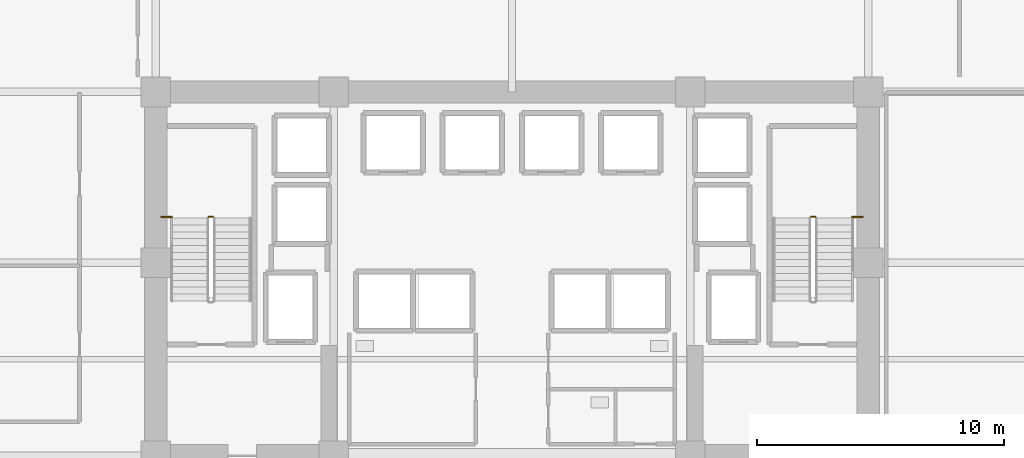
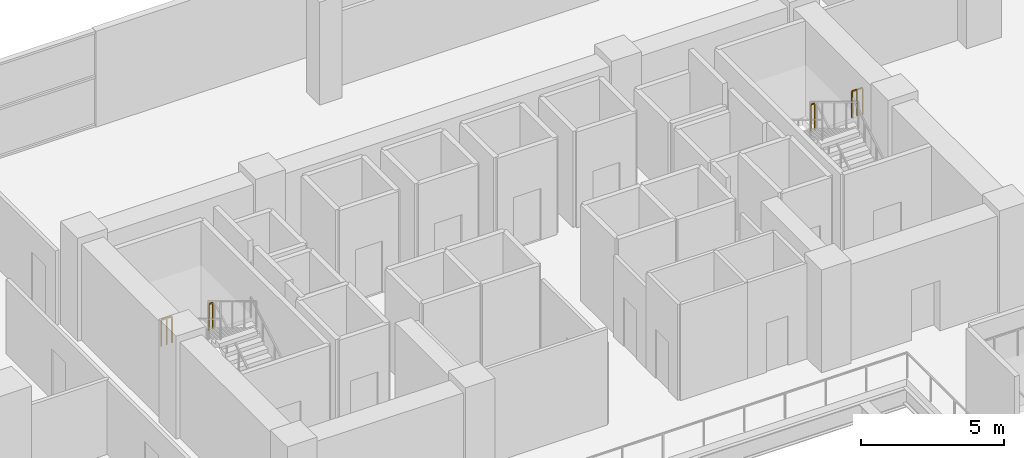
# One storey, part 20 of 22: 4 railings.
"""IFC4 building model written with IfcOpenShell, lengths in metres."""

import ifcopenshell
import ifcopenshell.guid

model = None  # the IFC model being written
_history = None  # IfcOwnerHistory: only IFC2X3 demands one
_inside = {}  # id of a spatial element -> (the spatial element, [elements in it])
_under = {}  # id of a project, library or spatial element -> (it, [spatial elements below it])
_declared = {}  # id of a project -> (the project, [libraries it declares])
_typed = {}  # id of a type object -> (the type object, [elements of that type])
_made_of = {}  # id of a material, layer set ... -> (it, [elements and type objects made of it])


def new_model(schema):
    """Start an empty IFC model of exactly this schema.

    Asked for "IFC4X3", IfcOpenShell would pick the latest addendum, in which some entities
    have other attributes; the version numbers below select the first issue.
    IFC2X3 requires an IfcOwnerHistory on every rooted entity: one is made here for all.
    """
    global model, _history
    if schema == "IFC4X3":
        model = ifcopenshell.file(schema_version=(4, 3, 0, 0))
    else:
        model = ifcopenshell.file(schema=schema)
    _inside.clear()
    _under.clear()
    _declared.clear()
    _typed.clear()
    _made_of.clear()
    _history = None
    if model.schema == "IFC2X3":
        org = make("IfcOrganization", Name="unknown")
        user = make(
            "IfcPersonAndOrganization",
            ThePerson=make("IfcPerson", FamilyName="unknown"),
            TheOrganization=org,
        )
        app = make(
            "IfcApplication",
            ApplicationDeveloper=org,
            Version="unknown",
            ApplicationFullName="unknown",
            ApplicationIdentifier="unknown",
        )
        _history = make(
            "IfcOwnerHistory",
            OwningUser=user,
            OwningApplication=app,
            ChangeAction="ADDED",
            CreationDate=0,
        )
    return model


def make(cls, **values):
    """One entity of the class cls with the attributes given. An attribute that is None is left unset."""
    return model.create_entity(
        cls, **{name: value for name, value in values.items() if value is not None}
    )


def rooted(cls, **values):
    """An entity with a GlobalId (a new one), such as an element, a storey or a relation."""
    return make(cls, GlobalId=ifcopenshell.guid.new(), OwnerHistory=_history, **values)


def si_unit(unit_type, name, prefix=None):
    """IfcSIUnit, for example si_unit("LENGTHUNIT", "METRE", prefix="MILLI")."""
    return make("IfcSIUnit", UnitType=unit_type, Prefix=prefix, Name=name)


def assignment(units):
    """IfcUnitAssignment: the units of a project."""
    return None if units is None else make("IfcUnitAssignment", Units=units)


def point(xyz):
    """IfcCartesianPoint."""
    return None if xyz is None else make("IfcCartesianPoint", Coordinates=xyz)


def direction(xyz):
    """IfcDirection."""
    return None if xyz is None else make("IfcDirection", DirectionRatios=xyz)


def frame(location, z_axis=None, x_axis=None):
    """IfcAxis2Placement3D, a coordinate frame: its origin and axes. An axis left out is left unset."""
    return make(
        "IfcAxis2Placement3D",
        Location=point(location),
        Axis=direction(z_axis),
        RefDirection=direction(x_axis),
    )


def frame_2d(location, x_axis=None):
    """IfcAxis2Placement2D, a coordinate frame in the plane: its origin and x axis."""
    return make(
        "IfcAxis2Placement2D", Location=point(location), RefDirection=direction(x_axis)
    )


def origin():
    """The frame at (0, 0, 0) with its axes left unset."""
    return frame((0.0, 0.0, 0.0))


def origin_2d():
    """The frame at (0, 0) in the plane with its x axis left unset."""
    return frame_2d((0.0, 0.0))


def place(relative_to, where):
    """IfcLocalPlacement: puts the frame where relative to a parent placement (None: the world)."""
    return make(
        "IfcLocalPlacement", PlacementRelTo=relative_to, RelativePlacement=where
    )


def context(
    kind, dimensions, precision=None, world=None, true_north=None, identifier=None
):
    """IfcGeometricRepresentationContext, for example the 3D "Model" context."""
    return make(
        "IfcGeometricRepresentationContext",
        ContextIdentifier=identifier,
        ContextType=kind,
        CoordinateSpaceDimension=dimensions,
        Precision=precision,
        WorldCoordinateSystem=world,
        TrueNorth=true_north,
    )


def subcontext(parent, identifier, kind, view, scale=None):
    """IfcGeometricRepresentationSubContext, for example "Body" below "Model"."""
    return make(
        "IfcGeometricRepresentationSubContext",
        ContextIdentifier=identifier,
        ContextType=kind,
        ParentContext=parent,
        TargetScale=scale,
        TargetView=view,
    )


def project(units=None, contexts=None):
    """IfcProject with its units and contexts."""
    return rooted(
        "IfcProject",
        Name="project",
        RepresentationContexts=contexts,
        UnitsInContext=assignment(units),
    )


def spatial(cls, under=None, at=None, **own):
    """A site, building, storey or space (cls), placed at a placement, below another one or the project."""
    s = rooted(cls, ObjectPlacement=at, **own)
    if under is not None:
        _under.setdefault(under.id(), (under, []))[1].append(s)
    return s


def profile(cls, at=None, kind="AREA", **sizes):
    """A parametric profile (cls). Its sizes go by their IFC names, for example OverallWidth=200.0."""
    return make(cls, ProfileType=kind, Position=at, **sizes)


def rectangle(**sizes):
    """IfcRectangleProfileDef."""
    return profile("IfcRectangleProfileDef", **sizes)


def extrude(swept, where, along, depth):
    """IfcExtrudedAreaSolid: the profile swept, set in the frame where, extruded along a direction by depth."""
    return make(
        "IfcExtrudedAreaSolid",
        SweptArea=swept,
        Position=where,
        ExtrudedDirection=direction(along),
        Depth=depth,
    )


def shape(context_of_items, identifier, shape_type, items):
    """IfcShapeRepresentation: the items that make up one representation, for example the "Body"."""
    return make(
        "IfcShapeRepresentation",
        ContextOfItems=context_of_items,
        RepresentationIdentifier=identifier,
        RepresentationType=shape_type,
        Items=items,
    )


def material(Name=None, Category=None):
    """IfcMaterial."""
    return make("IfcMaterial", Name=Name, Category=Category)


def made_of(thing, what):
    """Note that an element or type object is made of a material, layer set ...; save() writes the relation."""
    if what is not None:
        _made_of.setdefault(what.id(), (what, []))[1].append(thing)
    return thing


def type_object(cls, material=None, **own):
    """A type object (cls), such as IfcWallType, which elements share."""
    return made_of(rooted(cls, **own), material)


def element(
    cls,
    number,
    at=None,
    inside=None,
    cuts=None,
    type_object=None,
    material=None,
    context=None,
    identifier="Body",
    shape_type=None,
    held_by="IfcProductDefinitionShape",
    body=None,
    shapes=None,
    **own,
):
    """One element of the class cls, such as IfcWall. Its Tag is "e" and its number.

    at: its placement. inside: the storey or other place that contains it. cuts: it is an
    opening in that element (IfcRelVoidsElement). A single representation is given by context,
    identifier, shape_type and body (its items); several are given by shapes. held_by: the class
    of the entity that holds the representations. save() writes the other relations.
    """
    e = rooted(cls, Tag="e%d" % number, ObjectPlacement=at, **own)
    if body is not None:
        shapes = [shape(context, identifier, shape_type, body)]
    if shapes is not None:
        e.Representation = make(held_by, Representations=shapes)
    if inside is not None:
        _inside.setdefault(inside.id(), (inside, []))[1].append(e)
    if cuts is not None:
        rooted(
            "IfcRelVoidsElement", RelatingBuildingElement=cuts, RelatedOpeningElement=e
        )
    if type_object is not None:
        _typed.setdefault(type_object.id(), (type_object, []))[1].append(e)
    return made_of(e, material)


def aggregate(whole, parts):
    """IfcRelAggregates: a whole, such as a stair, and the parts it consists of."""
    return rooted("IfcRelAggregates", RelatingObject=whole, RelatedObjects=parts)


def save(model, path):
    """Write the relations noted so far, then the file.

    IfcRelAggregates (storeys below a building ...), IfcRelContainedInSpatialStructure (elements
    in a storey), IfcRelDefinesByType, IfcRelAssociatesMaterial and IfcRelDeclares: one each for
    every whole, place, type object, material and project.
    """
    for whole, parts in _under.values():
        aggregate(whole, parts)
    for where, things in _inside.values():
        rooted(
            "IfcRelContainedInSpatialStructure",
            RelatedElements=things,
            RelatingStructure=where,
        )
    for kind, things in _typed.values():
        rooted("IfcRelDefinesByType", RelatedObjects=things, RelatingType=kind)
    for what, things in _made_of.values():
        rooted("IfcRelAssociatesMaterial", RelatedObjects=things, RelatingMaterial=what)
    for by, libraries in _declared.values():
        rooted("IfcRelDeclares", RelatingContext=by, RelatedDefinitions=libraries)
    model.write(path)


model = new_model("IFC4")

# Units and contexts
model_context = context("Model", 3, precision=1e-05, world=origin(), true_north=direction((0.0, 1.0)))
body_context = subcontext(model_context, "Body", "Model", "MODEL_VIEW")
ifc_project = project(units=[si_unit("LENGTHUNIT", "METRE"), si_unit("AREAUNIT", "SQUARE_METRE"), si_unit("VOLUMEUNIT", "CUBIC_METRE"), si_unit("PLANEANGLEUNIT", "RADIAN"), si_unit("MASSUNIT", "GRAM", prefix="KILO")], contexts=[model_context])

# Site, building, storey
site_placement = place(None, origin())
site = spatial("IfcSite", under=ifc_project, at=site_placement, CompositionType="ELEMENT")
building_placement = place(site_placement, origin())
building = spatial("IfcBuilding", under=site, at=building_placement, Name="Zarnakvel Exchange Tower", CompositionType="ELEMENT")
storey_placement = place(building_placement, frame((0.0, 0.0, 9.39990234375)))
storey = spatial("IfcBuildingStorey", under=building, at=storey_placement, Name="L02", CompositionType="ELEMENT", Elevation=9.39990234375)

# Railings
ifc_material = material(Name="Architectural Bronze Anodised Aluminium", Category="aluminium")
railing_type = type_object("IfcRailingType", Name="SG-01", PredefinedType="GUARDRAIL", material=ifc_material)
railing_1_placement = place(storey_placement, frame((-12.090087890625, 8.4599609375, 2.2001953125)))
element("IfcRailing", 1, at=railing_1_placement, inside=storey, type_object=railing_type, Name="L02 ST-01 stair guard 2", PredefinedType="GUARDRAIL", context=body_context, shape_type="SweptSolid", body=[
    extrude(rectangle(XDim=0.048095703125, YDim=0.048095703125, at=origin_2d()), frame((0.0, 0.0, 1.1259765625), z_axis=(-1.0, 0.0, 0.0), x_axis=(0.0, -1.0, 0.0)), (0.0, 0.0, 1.0), 0.159912109375),
    extrude(rectangle(XDim=0.0419921875, YDim=0.0419921875, at=origin_2d()), origin(), (0.0, 0.0, 1.0), 1.101806640625),
    extrude(rectangle(XDim=0.0419921875, YDim=0.0419921875, at=origin_2d()), frame((-0.159912109375, 0.0, 0.0)), (0.0, 0.0, 1.0), 1.101806640625),
])
railing_2_placement = place(storey_placement, frame((-14.179931640625, 8.449951171875, 2.2001953125)))
element("IfcRailing", 2, at=railing_2_placement, inside=storey, type_object=railing_type, Name="L02 ST-01 Landing Slot Guardrail", PredefinedType="GUARDRAIL", context=body_context, shape_type="SweptSolid", body=[
    extrude(rectangle(XDim=0.048095703125, YDim=0.048095703125, at=origin_2d()), frame((0.0, 0.0, 1.1259765625), z_axis=(1.0, 0.0, 0.0), x_axis=(0.0, 1.0, 0.0)), (0.0, 0.0, 1.0), 0.429931640625),
    extrude(rectangle(XDim=0.0419921875, YDim=0.0419921875, at=origin_2d()), origin(), (0.0, 0.0, 1.0), 1.101806640625),
    extrude(rectangle(XDim=0.0419921875, YDim=0.0419921875, at=origin_2d()), frame((0.21484375, 0.0, 0.0)), (0.0, 0.0, 1.0), 1.101806640625),
    extrude(rectangle(XDim=0.0419921875, YDim=0.0419921875, at=origin_2d()), frame((0.429931640625, 0.0, 0.0)), (0.0, 0.0, 1.0), 1.101806640625),
])
railing_3_placement = place(storey_placement, frame((12.25, 8.4599609375, 2.2001953125)))
element("IfcRailing", 3, at=railing_3_placement, inside=storey, type_object=railing_type, Name="L02 ST-02 stair guard 2", PredefinedType="GUARDRAIL", context=body_context, shape_type="SweptSolid", body=[
    extrude(rectangle(XDim=0.048095703125, YDim=0.048095703125, at=origin_2d()), frame((0.0, 0.0, 1.1259765625), z_axis=(-1.0, 0.0, 0.0), x_axis=(0.0, -1.0, 0.0)), (0.0, 0.0, 1.0), 0.159912109375),
    extrude(rectangle(XDim=0.0419921875, YDim=0.0419921875, at=origin_2d()), origin(), (0.0, 0.0, 1.0), 1.101806640625),
    extrude(rectangle(XDim=0.0419921875, YDim=0.0419921875, at=origin_2d()), frame((-0.159912109375, 0.0, 0.0)), (0.0, 0.0, 1.0), 1.101806640625),
])
railing_4_placement = place(storey_placement, frame((13.75, 8.449951171875, 2.2001953125)))
element("IfcRailing", 4, at=railing_4_placement, inside=storey, type_object=railing_type, Name="L02 ST-02 Landing Slot Guardrail", PredefinedType="GUARDRAIL", context=body_context, shape_type="SweptSolid", body=[
    extrude(rectangle(XDim=0.048095703125, YDim=0.048095703125, at=origin_2d()), frame((0.0, 0.0, 1.1259765625), z_axis=(1.0, 0.0, 0.0), x_axis=(0.0, 1.0, 0.0)), (0.0, 0.0, 1.0), 0.429931640625),
    extrude(rectangle(XDim=0.0419921875, YDim=0.0419921875, at=origin_2d()), origin(), (0.0, 0.0, 1.0), 1.101806640625),
    extrude(rectangle(XDim=0.0419921875, YDim=0.0419921875, at=origin_2d()), frame((0.21484375, 0.0, 0.0)), (0.0, 0.0, 1.0), 1.101806640625),
    extrude(rectangle(XDim=0.0419921875, YDim=0.0419921875, at=origin_2d()), frame((0.429931640625, 0.0, 0.0)), (0.0, 0.0, 1.0), 1.101806640625),
])

save(model, "model.ifc")
